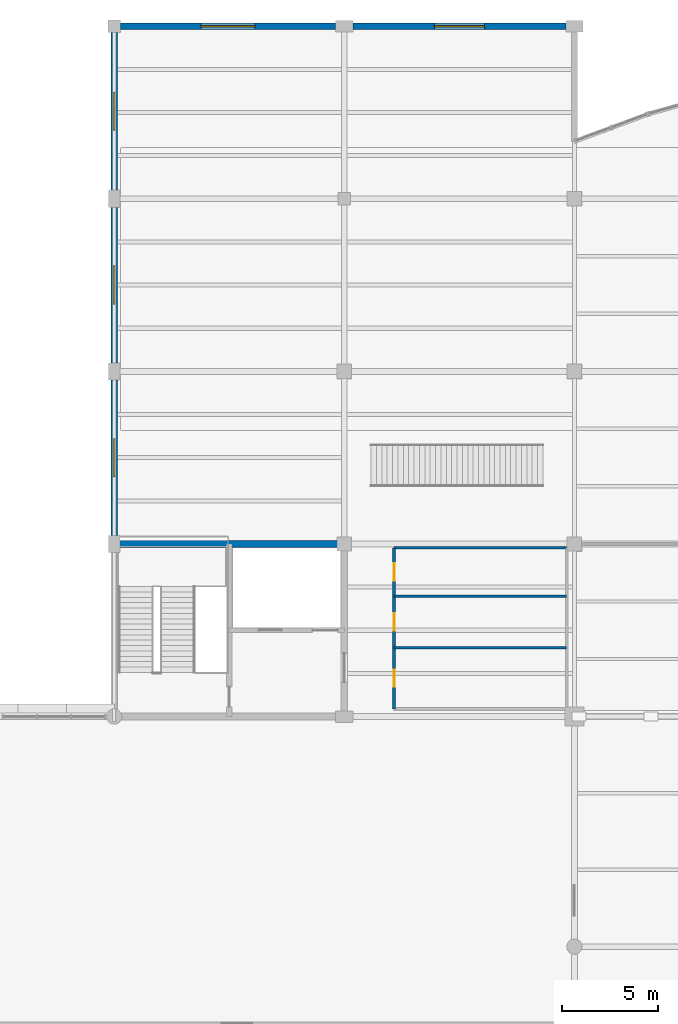
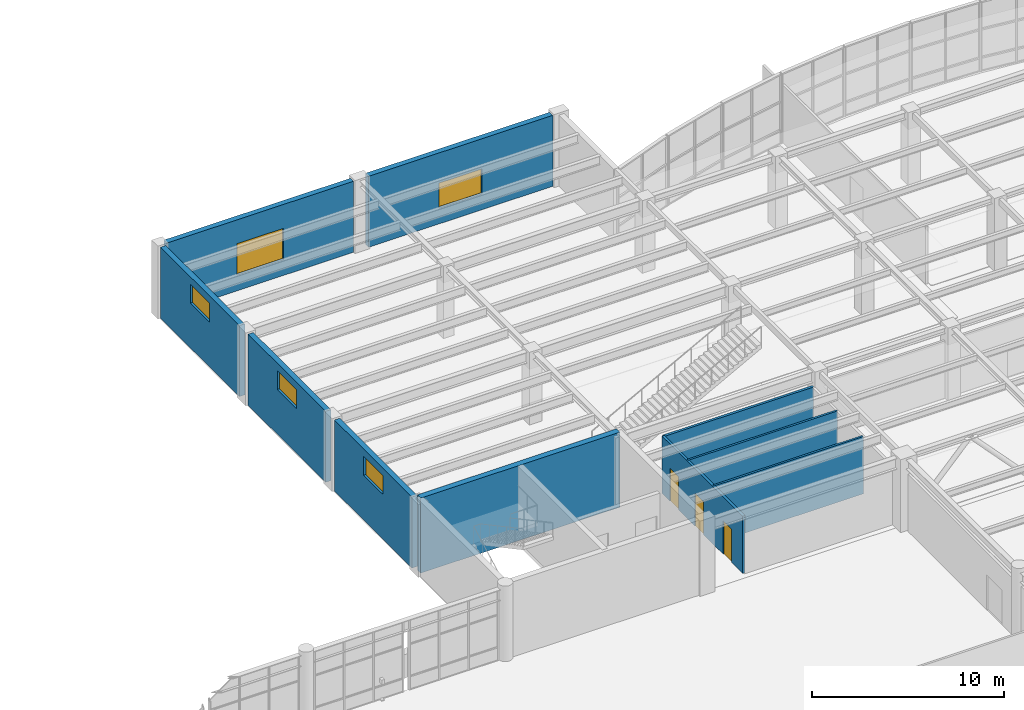
# One storey, part 52 of 72: 10 walls, 5 windows, 3 doors, 8 openings.
"""IFC4 building model written with IfcOpenShell, lengths in metres."""

from ifc_helpers import new_model, si_unit, direction, frame, frame_2d, origin, place, context, subcontext, project, spatial, rectangle, extrude, material, layer, layer_set, type_object, element, fill, save


model = new_model("IFC4")

# Units and contexts
model_context = context("Model", 3, precision=1e-05, world=origin(), true_north=direction((0.0, 1.0)))
body_context = subcontext(model_context, "Body", "Model", "MODEL_VIEW")
ifc_project = project(units=[si_unit("LENGTHUNIT", "METRE"), si_unit("AREAUNIT", "SQUARE_METRE"), si_unit("VOLUMEUNIT", "CUBIC_METRE"), si_unit("PLANEANGLEUNIT", "RADIAN"), si_unit("MASSUNIT", "GRAM", prefix="KILO")], contexts=[model_context])

# Site, building, storey
site_placement = place(None, origin())
site = spatial("IfcSite", under=ifc_project, at=site_placement, CompositionType="ELEMENT")
building_placement = place(site_placement, origin())
building = spatial("IfcBuilding", under=site, at=building_placement, Name="Keelwater Ferry Terminal", CompositionType="ELEMENT")
storey_placement = place(building_placement, frame((0.0, 0.0, 5.39990234375)))
storey = spatial("IfcBuildingStorey", under=building, at=storey_placement, Name="L01", CompositionType="ELEMENT", Elevation=5.39990234375)

# Wall, opening, window
ifc_material_1 = material(Name="Precast concrete C40/50", Category="concrete")
ifc_layer_1 = layer(ifc_material_1, 0.320068359375)
ifc_layer_set_1 = layer_set([ifc_layer_1], Name="Precast concrete C40/50")
wall_type_1 = type_object("IfcWallType", Name="EW-TC320 External Solid Wall 320", PredefinedType="SOLIDWALL", material=ifc_layer_set_1)
wall_1_placement = place(storey_placement, frame((108.0, 107.550048828125, 0.0), z_axis=(0.0, 0.0, 1.0), x_axis=(0.0, -1.0, 0.0)))
wall_1 = element("IfcWall", 1, at=wall_1_placement, inside=storey, type_object=wall_type_1, Name="External Wall WL-L01-0088", PredefinedType="SOLIDWALL", context=body_context, shape_type="SweptSolid", body=[
    extrude(rectangle(XDim=8.10009765625, YDim=0.320068359375, at=frame_2d((4.050048828125, 0.0))), origin(), (0.0, 0.0, 1.0), 4.52001953125),
])
opening_1_placement = place(wall_1_placement, frame((3.050048828125, 0.0, 2.85009765625)))
opening_1 = element("IfcOpeningElement", 2, at=opening_1_placement, cuts=wall_1, Name="Opening WN-21", PredefinedType="OPENING", context=body_context, shape_type="SweptSolid", body=[
    extrude(rectangle(XDim=2.0, YDim=1.199951171875, at=frame_2d((1.0, 0.60009765625))), frame((0.0, 0.170166015625, 0.0), z_axis=(0.0, -1.0, 0.0), x_axis=(1.0, 0.0, 0.0)), (0.0, 0.0, 1.0), 0.340087890625),
])
ifc_material_2 = material(Name="Triple low-E glass in thermally broken aluminium frame", Category="aluminium")
window_type_1 = type_object("IfcWindowType", Name="WN-21 Exterior Window 2000x1200", PartitioningType="SINGLE_PANEL", PredefinedType="WINDOW", material=ifc_material_2)
window_1_placement = place(opening_1_placement, origin())
window_1 = element("IfcWindow", 3, at=window_1_placement, inside=storey, type_object=window_type_1, Name="Window WN-L01-0050", OverallHeight=1.199951171875, OverallWidth=2.0, PartitioningType="SINGLE_PANEL", PredefinedType="WINDOW", context=body_context, shape_type="SweptSolid", body=[
    extrude(rectangle(XDim=2.0, YDim=1.199951171875, at=frame_2d((1.0, 0.60009765625))), frame((0.0, 0.030029296875, 0.0), z_axis=(0.0, -1.0, 0.0), x_axis=(1.0, 0.0, 0.0)), (0.0, 0.0, 1.0), 0.06005859375),
])
fill(opening_1, window_1)

wall_2_placement = place(storey_placement, frame((108.0, 116.550048828125, 0.0), z_axis=(0.0, 0.0, 1.0), x_axis=(0.0, -1.0, 0.0)))
wall_2 = element("IfcWall", 4, at=wall_2_placement, inside=storey, type_object=wall_type_1, Name="External Wall WL-L01-0089", PredefinedType="SOLIDWALL", context=body_context, shape_type="SweptSolid", body=[
    extrude(rectangle(XDim=8.10009765625, YDim=0.320068359375, at=frame_2d((4.050048828125, 0.0))), origin(), (0.0, 0.0, 1.0), 4.52001953125),
])
opening_2_placement = place(wall_2_placement, frame((3.050048828125, 0.0, 2.85009765625)))
opening_2 = element("IfcOpeningElement", 5, at=opening_2_placement, cuts=wall_2, Name="Opening WN-21", PredefinedType="OPENING", context=body_context, shape_type="SweptSolid", body=[
    extrude(rectangle(XDim=2.0, YDim=1.199951171875, at=frame_2d((1.0, 0.60009765625))), frame((0.0, 0.170166015625, 0.0), z_axis=(0.0, -1.0, 0.0), x_axis=(1.0, 0.0, 0.0)), (0.0, 0.0, 1.0), 0.340087890625),
])
window_2_placement = place(opening_2_placement, origin())
window_2 = element("IfcWindow", 6, at=window_2_placement, inside=storey, type_object=window_type_1, Name="Window WN-L01-0051", OverallHeight=1.199951171875, OverallWidth=2.0, PartitioningType="SINGLE_PANEL", PredefinedType="WINDOW", context=body_context, shape_type="SweptSolid", body=[
    extrude(rectangle(XDim=2.0, YDim=1.199951171875, at=frame_2d((1.0, 0.60009765625))), frame((0.0, 0.030029296875, 0.0), z_axis=(0.0, -1.0, 0.0), x_axis=(1.0, 0.0, 0.0)), (0.0, 0.0, 1.0), 0.06005859375),
])
fill(opening_2, window_2)

wall_3_placement = place(storey_placement, frame((108.0, 125.675048828125, 0.0), z_axis=(0.0, 0.0, 1.0), x_axis=(0.0, -1.0, 0.0)))
wall_3 = element("IfcWall", 7, at=wall_3_placement, inside=storey, type_object=wall_type_1, Name="External Wall WL-L01-0090", PredefinedType="SOLIDWALL", context=body_context, shape_type="SweptSolid", body=[
    extrude(rectangle(XDim=8.22509765625, YDim=0.320068359375, at=frame_2d((4.112548828125, 0.0))), origin(), (0.0, 0.0, 1.0), 4.52001953125),
])
opening_3_placement = place(wall_3_placement, frame((3.112060546875, 0.0, 2.85009765625)))
opening_3 = element("IfcOpeningElement", 8, at=opening_3_placement, cuts=wall_3, Name="Opening WN-21", PredefinedType="OPENING", context=body_context, shape_type="SweptSolid", body=[
    extrude(rectangle(XDim=2.0, YDim=1.199951171875, at=frame_2d((1.0, 0.60009765625))), frame((0.0, 0.170166015625, 0.0), z_axis=(0.0, -1.0, 0.0), x_axis=(1.0, 0.0, 0.0)), (0.0, 0.0, 1.0), 0.340087890625),
])
window_3_placement = place(opening_3_placement, origin())
window_3 = element("IfcWindow", 9, at=window_3_placement, inside=storey, type_object=window_type_1, Name="Window WN-L01-0052", OverallHeight=1.199951171875, OverallWidth=2.0, PartitioningType="SINGLE_PANEL", PredefinedType="WINDOW", context=body_context, shape_type="SweptSolid", body=[
    extrude(rectangle(XDim=2.0, YDim=1.199951171875, at=frame_2d((1.0, 0.60009765625))), frame((0.0, 0.030029296875, 0.0), z_axis=(0.0, -1.0, 0.0), x_axis=(1.0, 0.0, 0.0)), (0.0, 0.0, 1.0), 0.06005859375),
])
fill(opening_3, window_3)

wall_4_placement = place(storey_placement, frame((108.324951171875, 126.0, 0.0), z_axis=(0.0, 0.0, 1.0), x_axis=(1.0, 0.0, 0.0)))
wall_4 = element("IfcWall", 10, at=wall_4_placement, inside=storey, type_object=wall_type_1, Name="External Wall WL-L01-0093", PredefinedType="SOLIDWALL", context=body_context, shape_type="SweptSolid", body=[
    extrude(rectangle(XDim=11.22509765625, YDim=0.320068359375, at=frame_2d((5.612548828125, 0.0))), origin(), (0.0, 0.0, 1.0), 4.52001953125),
])
opening_4_placement = place(wall_4_placement, frame((4.2119140625, 0.0, 1.0)))
opening_4 = element("IfcOpeningElement", 11, at=opening_4_placement, cuts=wall_4, Name="Opening WN-18", PredefinedType="OPENING", context=body_context, shape_type="SweptSolid", body=[
    extrude(rectangle(XDim=2.800048828125, YDim=2.0, at=frame_2d((1.39990234375, 1.0))), frame((0.0, 0.170166015625, 0.0), z_axis=(0.0, -1.0, 0.0), x_axis=(1.0, 0.0, 0.0)), (0.0, 0.0, 1.0), 0.340087890625),
])
ifc_material_3 = material(Name="Triple low-E glass in thermally broken aluminium frame", Category="aluminium")
window_type_2 = type_object("IfcWindowType", Name="WN-18 Exterior Window 2800x2000", PartitioningType="SINGLE_PANEL", PredefinedType="WINDOW", material=ifc_material_3)
window_4_placement = place(opening_4_placement, origin())
window_4 = element("IfcWindow", 12, at=window_4_placement, inside=storey, type_object=window_type_2, Name="Window WN-L01-0053", OverallHeight=2.0, OverallWidth=2.800048828125, PartitioningType="SINGLE_PANEL", PredefinedType="WINDOW", context=body_context, shape_type="SweptSolid", body=[
    extrude(rectangle(XDim=2.800048828125, YDim=2.0, at=frame_2d((1.39990234375, 1.0))), frame((0.0, 0.030029296875, 0.0), z_axis=(0.0, -1.0, 0.0), x_axis=(1.0, 0.0, 0.0)), (0.0, 0.0, 1.0), 0.06005859375),
])
fill(opening_4, window_4)

wall_5_placement = place(storey_placement, frame((120.449951171875, 126.0, 0.0), z_axis=(0.0, 0.0, 1.0), x_axis=(1.0, 0.0, 0.0)))
wall_5 = element("IfcWall", 13, at=wall_5_placement, inside=storey, type_object=wall_type_1, Name="External Wall WL-L01-0094", PredefinedType="SOLIDWALL", context=body_context, shape_type="SweptSolid", body=[
    extrude(rectangle(XDim=11.10009765625, YDim=0.320068359375, at=frame_2d((5.550048828125, 0.0))), origin(), (0.0, 0.0, 1.0), 4.52001953125),
])
opening_5_placement = place(wall_5_placement, frame((4.25, 0.0, 1.0)))
opening_5 = element("IfcOpeningElement", 14, at=opening_5_placement, cuts=wall_5, Name="Opening WN-19", PredefinedType="OPENING", context=body_context, shape_type="SweptSolid", body=[
    extrude(rectangle(XDim=2.60009765625, YDim=1.60009765625, at=frame_2d((1.300048828125, 0.800048828125))), frame((0.0, 0.170166015625, 0.0), z_axis=(0.0, -1.0, 0.0), x_axis=(1.0, 0.0, 0.0)), (0.0, 0.0, 1.0), 0.340087890625),
])
ifc_material_4 = material(Name="Triple low-E glass in thermally broken aluminium frame", Category="aluminium")
window_type_3 = type_object("IfcWindowType", Name="WN-19 Exterior Window 2600x1600", PartitioningType="SINGLE_PANEL", PredefinedType="WINDOW", material=ifc_material_4)
window_5_placement = place(opening_5_placement, origin())
window_5 = element("IfcWindow", 15, at=window_5_placement, inside=storey, type_object=window_type_3, Name="Window WN-L01-0054", OverallHeight=1.60009765625, OverallWidth=2.60009765625, PartitioningType="SINGLE_PANEL", PredefinedType="WINDOW", context=body_context, shape_type="SweptSolid", body=[
    extrude(rectangle(XDim=2.60009765625, YDim=1.60009765625, at=frame_2d((1.300048828125, 0.800048828125))), frame((0.0, 0.030029296875, 0.0), z_axis=(0.0, -1.0, 0.0), x_axis=(1.0, 0.0, 0.0)), (0.0, 0.0, 1.0), 0.06005859375),
])
fill(opening_5, window_5)

# Walls
ifc_material_5 = material(Name="Gypsum board on acoustic steel stud", Category="steel")
ifc_layer_2 = layer(ifc_material_5, 0.125)
ifc_layer_set_2 = layer_set([ifc_layer_2], Name="Gypsum board on acoustic steel stud")
wall_type_2 = type_object("IfcWallType", Name="PT-125 Partition Wall 125", PredefinedType="PARTITIONING", material=ifc_layer_set_2)
for number, where, z_axis, x_axis, name in (
    (16, (122.60009765625, 93.592041015625, 0.0), (0.0, 0.0, 1.0), (1.0, 0.0, 0.0), "Interior Wall WL-INT-L01-0176"),
    (17, (122.60009765625, 96.280029296875, 0.0), (0.0, 0.0, 1.0), (1.0, 0.0, 0.0), "Interior Wall WL-INT-L01-0177"),
):
    element("IfcWall", number, at=place(storey_placement, frame(where, z_axis=z_axis, x_axis=x_axis)), inside=storey, type_object=wall_type_2, Name=name, PredefinedType="PARTITIONING", context=body_context, shape_type="SweptSolid", body=[
        extrude(rectangle(XDim=9.0, YDim=0.125, at=frame_2d((4.5, 0.0))), origin(), (0.0, 0.0, 1.0), 3.650146484375),
    ])

# Wall, openings, doors
ifc_material_6 = material(Name="Gypsum board on acoustic steel stud", Category="steel")
ifc_layer_3 = layer(ifc_material_6, 0.14990234375)
ifc_layer_set_3 = layer_set([ifc_layer_3], Name="Gypsum board on acoustic steel stud")
wall_type_3 = type_object("IfcWallType", Name="PT-150 Partition Wall 150", PredefinedType="PARTITIONING", material=ifc_layer_set_3)
wall_6_placement = place(storey_placement, frame((122.60009765625, 90.39990234375, 0.0), z_axis=(0.0, 0.0, 1.0), x_axis=(0.0, 1.0, 0.0)))
wall_6 = element("IfcWall", 18, at=wall_6_placement, inside=storey, type_object=wall_type_3, Name="Interior Wall WL-INT-L01-0172", PredefinedType="PARTITIONING", context=body_context, shape_type="SweptSolid", body=[
    extrude(rectangle(XDim=8.400146484375, YDim=0.14990234375, at=frame_2d((4.2001953125, 0.0))), origin(), (0.0, 0.0, 1.0), 3.650146484375),
])
opening_6_placement = place(wall_6_placement, frame((1.14599609375, 0.0, 0.0)))
opening_6 = element("IfcOpeningElement", 19, at=opening_6_placement, cuts=wall_6, Name="Opening WD-013", PredefinedType="OPENING", context=body_context, shape_type="SweptSolid", body=[
    extrude(rectangle(XDim=0.89990234375, YDim=2.10009765625, at=frame_2d((0.449951171875, 1.050048828125))), frame((0.0, 0.0849609375, 0.0), z_axis=(0.0, -1.0, 0.0), x_axis=(1.0, 0.0, 0.0)), (0.0, 0.0, 1.0), 0.169921875),
])
opening_7_placement = place(wall_6_placement, frame((4.0859375, 0.0, 0.0)))
opening_7 = element("IfcOpeningElement", 20, at=opening_7_placement, cuts=wall_6, Name="Opening WD-014", PredefinedType="OPENING", context=body_context, shape_type="SweptSolid", body=[
    extrude(rectangle(XDim=0.89990234375, YDim=2.10009765625, at=frame_2d((0.449951171875, 1.050048828125))), frame((0.0, 0.0849609375, 0.0), z_axis=(0.0, -1.0, 0.0), x_axis=(1.0, 0.0, 0.0)), (0.0, 0.0, 1.0), 0.169921875),
])
opening_8_placement = place(wall_6_placement, frame((6.679931640625, 0.0, 0.0)))
opening_8 = element("IfcOpeningElement", 21, at=opening_8_placement, cuts=wall_6, Name="Opening WD-015", PredefinedType="OPENING", context=body_context, shape_type="SweptSolid", body=[
    extrude(rectangle(XDim=0.919921875, YDim=2.10009765625, at=frame_2d((0.4599609375, 1.050048828125))), frame((0.0, 0.0849609375, 0.0), z_axis=(0.0, -1.0, 0.0), x_axis=(1.0, 0.0, 0.0)), (0.0, 0.0, 1.0), 0.169921875),
])
ifc_material_7 = material(Name="Acoustic oak and fire-rated steel frame door", Category="steel")
door_type_1 = type_object("IfcDoorType", Name="ID-09 Pedestrian Door 920x2100", OperationType="NOTDEFINED", PredefinedType="DOOR", material=ifc_material_7)
door_1_placement = place(opening_8_placement, origin())
door_1 = element("IfcDoor", 22, at=door_1_placement, inside=storey, type_object=door_type_1, Name="Door WD-015", OperationType="SINGLE_SWING_LEFT", OverallHeight=2.10009765625, OverallWidth=0.919921875, PredefinedType="DOOR", context=body_context, shape_type="SweptSolid", body=[
    extrude(rectangle(XDim=0.919921875, YDim=2.10009765625, at=frame_2d((0.4599609375, 1.050048828125))), frame((0.0, 0.02490234375, 0.0), z_axis=(0.0, -1.0, 0.0), x_axis=(1.0, 0.0, 0.0)), (0.0, 0.0, 1.0), 0.050048828125),
])
fill(opening_8, door_1)
ifc_material_8 = material(Name="Acoustic oak and fire-rated steel frame door", Category="steel")
door_type_2 = type_object("IfcDoorType", Name="ID-10 Pedestrian Door 900x2100", OperationType="NOTDEFINED", PredefinedType="DOOR", material=ifc_material_8)
door_2_placement = place(opening_6_placement, origin())
door_2 = element("IfcDoor", 23, at=door_2_placement, inside=storey, type_object=door_type_2, Name="Door WD-013", OperationType="SINGLE_SWING_LEFT", OverallHeight=2.10009765625, OverallWidth=0.89990234375, PredefinedType="DOOR", context=body_context, shape_type="SweptSolid", body=[
    extrude(rectangle(XDim=0.89990234375, YDim=2.10009765625, at=frame_2d((0.449951171875, 1.050048828125))), frame((0.0, 0.02490234375, 0.0), z_axis=(0.0, -1.0, 0.0), x_axis=(1.0, 0.0, 0.0)), (0.0, 0.0, 1.0), 0.050048828125),
])
fill(opening_6, door_2)
door_3_placement = place(opening_7_placement, origin())
door_3 = element("IfcDoor", 24, at=door_3_placement, inside=storey, type_object=door_type_2, Name="Door WD-014", OperationType="SINGLE_SWING_RIGHT", OverallHeight=2.10009765625, OverallWidth=0.89990234375, PredefinedType="DOOR", context=body_context, shape_type="SweptSolid", body=[
    extrude(rectangle(XDim=0.89990234375, YDim=2.10009765625, at=frame_2d((0.449951171875, 1.050048828125))), frame((0.0, 0.02490234375, 0.0), z_axis=(0.0, -1.0, 0.0), x_axis=(1.0, 0.0, 0.0)), (0.0, 0.0, 1.0), 0.050048828125),
])
fill(opening_7, door_3)

# Walls
wall_7_placement = place(storey_placement, frame((122.60009765625, 98.800048828125, 0.0), z_axis=(0.0, 0.0, 1.0), x_axis=(1.0, 0.0, 0.0)))
element("IfcWall", 25, at=wall_7_placement, inside=storey, type_object=wall_type_3, Name="Interior Wall WL-INT-L01-0174", PredefinedType="PARTITIONING", context=body_context, shape_type="SweptSolid", body=[
    extrude(rectangle(XDim=9.0, YDim=0.14990234375, at=frame_2d((4.5, 0.0))), origin(), (0.0, 0.0, 1.0), 3.650146484375),
])
ifc_material_9 = material(Name="Concrete C45/55", Category="concrete")
ifc_layer_4 = layer(ifc_material_9, 0.35009765625)
ifc_layer_set_4 = layer_set([ifc_layer_4], Name="Concrete C45/55")
wall_type_4 = type_object("IfcWallType", Name="SW-350 Shear Wall 350", PredefinedType="SHEAR", material=ifc_layer_set_4)
wall_8_placement = place(storey_placement, frame((108.0, 99.0, 0.0), z_axis=(0.0, 0.0, 1.0), x_axis=(1.0, 0.0, 0.0)))
element("IfcWall", 26, at=wall_8_placement, inside=storey, type_object=wall_type_4, Name="Interior Wall WL-INT-L01-0026", PredefinedType="SHEAR", context=body_context, shape_type="SweptSolid", body=[
    extrude(rectangle(XDim=12.0, YDim=0.35009765625, at=frame_2d((6.0, 0.0))), origin(), (0.0, 0.0, 1.0), 4.780029296875),
])

save(model, "model.ifc")
